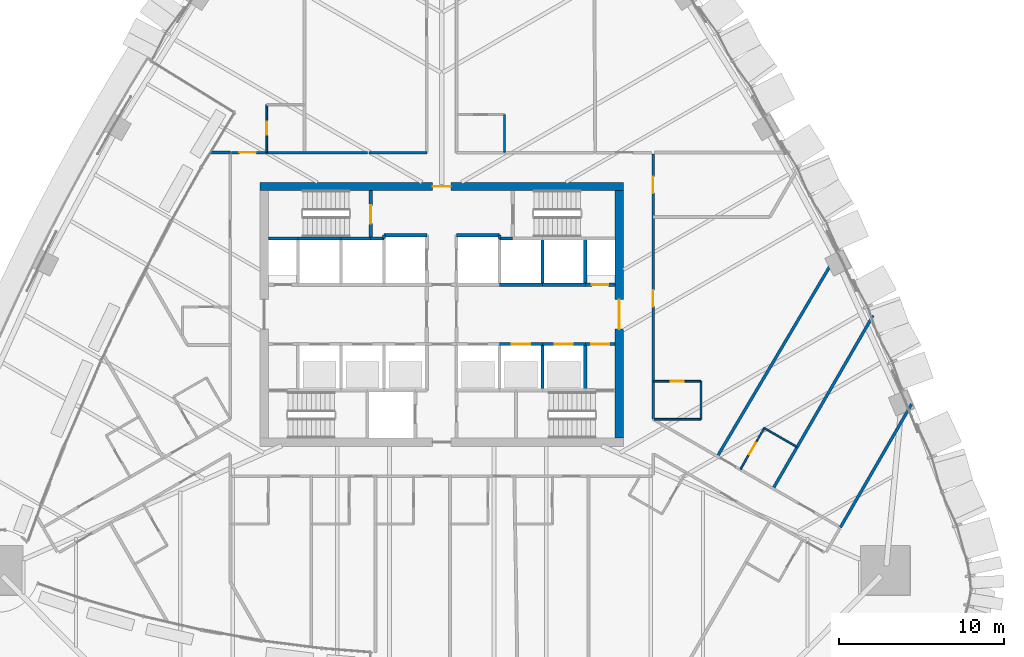
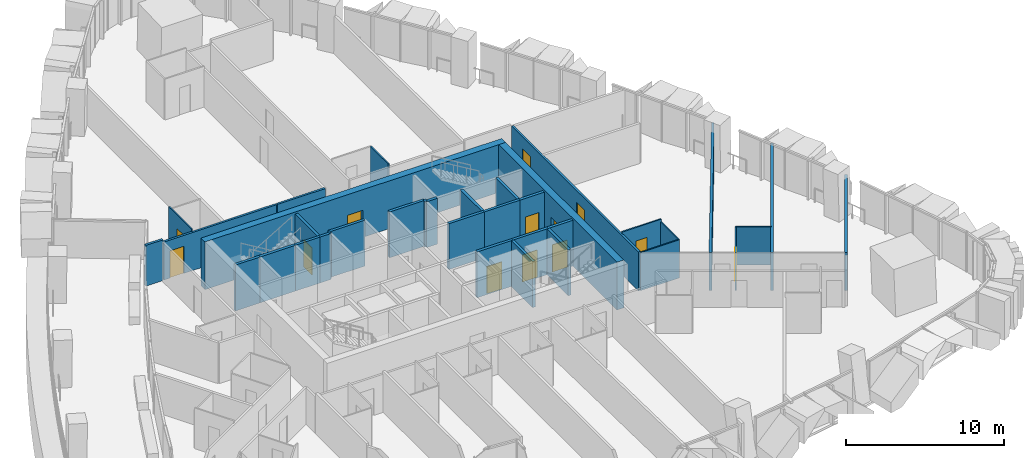
# One storey, part 17 of 24: 36 walls, 13 doors, 13 openings.
"""IFC4 building model written with IfcOpenShell, lengths in metres."""

from ifc_helpers import new_model, si_unit, direction, frame, frame_2d, origin, place, context, subcontext, project, spatial, rectangle, extrude, material, layer, layer_set, type_object, element, fill, save


model = new_model("IFC4")

# Units and contexts
model_context = context("Model", 3, precision=1e-05, world=origin(), true_north=direction((0.0, 1.0)))
body_context = subcontext(model_context, "Body", "Model", "MODEL_VIEW")
ifc_project = project(units=[si_unit("LENGTHUNIT", "METRE"), si_unit("AREAUNIT", "SQUARE_METRE"), si_unit("VOLUMEUNIT", "CUBIC_METRE"), si_unit("PLANEANGLEUNIT", "RADIAN"), si_unit("MASSUNIT", "GRAM", prefix="KILO")], contexts=[model_context])

# Site, building, storey
site_placement = place(None, origin())
site = spatial("IfcSite", under=ifc_project, at=site_placement, CompositionType="ELEMENT")
building_placement = place(site_placement, origin())
building = spatial("IfcBuilding", under=site, at=building_placement, Name="Sierra Prisma Convention Tower", CompositionType="ELEMENT")
storey_placement = place(building_placement, frame((0.0, 0.0, 59.10009765625)))
storey = spatial("IfcBuildingStorey", under=building, at=storey_placement, Name="L10", CompositionType="ELEMENT", Elevation=59.10009765625)

# Wall, opening, door
ifc_material_1 = material(Name="Gypsum board partition", Category="gypsum")
ifc_layer_1 = layer(ifc_material_1, 0.10009765625)
ifc_layer_set_1 = layer_set([ifc_layer_1], Name="Bathroom partition 100")
wall_type_1 = type_object("IfcWallType", Name="Bathroom partition 100", PredefinedType="PARTITIONING", material=ifc_layer_set_1)
wall_1_placement = place(storey_placement, frame((-10.60009765625, 9.830078125, 0.0), z_axis=(0.0, 0.0, 1.0), x_axis=(0.0, 1.0, 0.0)))
wall_1 = element("IfcWall", 1, at=wall_1_placement, inside=storey, type_object=wall_type_1, Name="Partition L10 bath 12", PredefinedType="PARTITIONING", context=body_context, shape_type="SweptSolid", body=[
    extrude(rectangle(XDim=2.869873046875, YDim=0.10009765625, at=frame_2d((1.43505859375, 0.0))), origin(), (0.0, 0.0, 1.0), 3.14990234375),
])
opening_1_placement = place(wall_1_placement, frame((1.034912109375, 0.0, 0.0)))
opening_1 = element("IfcOpeningElement", 2, at=opening_1_placement, cuts=wall_1, Name="Opening L10-D007", PredefinedType="OPENING", context=body_context, shape_type="SweptSolid", body=[
    extrude(rectangle(XDim=0.800048828125, YDim=2.10009765625, at=frame_2d((0.39990234375, 1.050048828125))), frame((0.0, 0.050048828125, 0.0), z_axis=(0.0, -1.0, 0.0), x_axis=(1.0, 0.0, 0.0)), (0.0, 0.0, 1.0), 0.10009765625),
])
ifc_material_2 = material(Name="Solid core timber door leaf", Category="wood")
door_type_1 = type_object("IfcDoorType", Name="Door 800x2100 plain", OperationType="SINGLE_SWING_LEFT", PredefinedType="DOOR", material=ifc_material_2)
door_1_placement = place(opening_1_placement, origin())
door_1 = element("IfcDoor", 3, at=door_1_placement, inside=storey, type_object=door_type_1, Name="Door L10 10", OperationType="SINGLE_SWING_LEFT", OverallHeight=2.10009765625, OverallWidth=0.800048828125, PredefinedType="DOOR", context=body_context, shape_type="SweptSolid", body=[
    extrude(rectangle(XDim=0.800048828125, YDim=2.10009765625, at=frame_2d((0.39990234375, 1.050048828125))), frame((0.0, 0.02490234375, 0.0), z_axis=(0.0, -1.0, 0.0), x_axis=(1.0, 0.0, 0.0)), (0.0, 0.0, 1.0), 0.050048828125),
])
fill(opening_1, door_1)

# Wall
wall_2_placement = place(storey_placement, frame((3.800048828125, 12.10009765625, 0.0), z_axis=(0.0, 0.0, 1.0), x_axis=(0.0, -1.0, 0.0)))
element("IfcWall", 4, at=wall_2_placement, inside=storey, type_object=wall_type_1, Name="Partition L10 bath 24", PredefinedType="PARTITIONING", context=body_context, shape_type="SweptSolid", body=[
    extrude(rectangle(XDim=2.27001953125, YDim=0.10009765625, at=frame_2d((1.135009765625, 0.0))), origin(), (0.0, 0.0, 1.0), 3.14990234375),
])

# Wall, opening, door
wall_3_placement = place(storey_placement, frame((12.830078125, -4.05078125, 0.0), z_axis=(0.0, 0.0, 1.0), x_axis=(1.0, 0.0, 0.0)))
wall_3 = element("IfcWall", 5, at=wall_3_placement, inside=storey, type_object=wall_type_1, Name="Partition L10 bath 30", PredefinedType="PARTITIONING", context=body_context, shape_type="SweptSolid", body=[
    extrude(rectangle(XDim=2.869873046875, YDim=0.10009765625, at=frame_2d((1.43505859375, 0.0))), origin(), (0.0, 0.0, 1.0), 3.14990234375),
])
opening_2_placement = place(wall_3_placement, frame((1.034912109375, 0.0, 0.0)))
opening_2 = element("IfcOpeningElement", 6, at=opening_2_placement, cuts=wall_3, Name="Opening L10-D004", PredefinedType="OPENING", context=body_context, shape_type="SweptSolid", body=[
    extrude(rectangle(XDim=0.800048828125, YDim=2.10009765625, at=frame_2d((0.39990234375, 1.050048828125))), frame((0.0, 0.050048828125, 0.0), z_axis=(0.0, -1.0, 0.0), x_axis=(1.0, 0.0, 0.0)), (0.0, 0.0, 1.0), 0.10009765625),
])
door_2_placement = place(opening_2_placement, origin())
door_2 = element("IfcDoor", 7, at=door_2_placement, inside=storey, type_object=door_type_1, Name="Door L10 2", OperationType="SINGLE_SWING_LEFT", OverallHeight=2.10009765625, OverallWidth=0.800048828125, PredefinedType="DOOR", context=body_context, shape_type="SweptSolid", body=[
    extrude(rectangle(XDim=0.800048828125, YDim=2.10009765625, at=frame_2d((0.39990234375, 1.050048828125))), frame((0.0, 0.02490234375, 0.0), z_axis=(0.0, -1.0, 0.0), x_axis=(1.0, 0.0, 0.0)), (0.0, 0.0, 1.0), 0.050048828125),
])
fill(opening_2, door_2)

# Walls
wall_4_placement = place(storey_placement, frame((15.699951171875, -4.05078125, 0.0), z_axis=(0.0, 0.0, 1.0), x_axis=(0.0, -1.0, 0.0)))
element("IfcWall", 8, at=wall_4_placement, inside=storey, type_object=wall_type_1, Name="Partition L10 bath 31", PredefinedType="PARTITIONING", context=body_context, shape_type="SweptSolid", body=[
    extrude(rectangle(XDim=2.300048828125, YDim=0.10009765625, at=frame_2d((1.14990234375, 0.0))), origin(), (0.0, 0.0, 1.0), 2.947021484375),
])
wall_5_placement = place(storey_placement, frame((15.699951171875, -6.350830078125, 0.0), z_axis=(0.0, 0.0, 1.0), x_axis=(-1.0, 0.0, 0.0)))
element("IfcWall", 9, at=wall_5_placement, inside=storey, type_object=wall_type_1, Name="Partition L10 bath 32", PredefinedType="PARTITIONING", context=body_context, shape_type="SweptSolid", body=[
    extrude(rectangle(XDim=2.83984375, YDim=0.10009765625, at=frame_2d((1.419921875, 0.0))), origin(), (0.0, 0.0, 1.0), 2.947021484375),
])

# Wall, opening, door
wall_6_placement = place(storey_placement, frame((18.097900390625, -9.375, 0.0), z_axis=(0.0, 0.0, 1.0), x_axis=(0.499936001555, 0.866062350151, 0.0)))
wall_6 = element("IfcWall", 10, at=wall_6_placement, inside=storey, type_object=wall_type_1, Name="Partition L10 bath 33", PredefinedType="PARTITIONING", context=body_context, shape_type="SweptSolid", body=[
    extrude(rectangle(XDim=2.8701171875, YDim=0.10009765625, at=frame_2d((1.43505859375, 0.0))), origin(), (0.0, 0.0, 1.0), 2.947021484375),
])
opening_3_placement = place(wall_6_placement, frame((1.034912109375, 0.0, 0.0)))
opening_3 = element("IfcOpeningElement", 11, at=opening_3_placement, cuts=wall_6, Name="Opening L10-D019", PredefinedType="OPENING", context=body_context, shape_type="SweptSolid", body=[
    extrude(rectangle(XDim=0.800048828125, YDim=2.10009765625, at=frame_2d((0.39990234375, 1.050048828125))), frame((0.0, 0.050048828125, 0.0), z_axis=(0.0, -1.0, 0.0), x_axis=(1.0, 0.0, 0.0)), (0.0, 0.0, 1.0), 0.10009765625),
])
door_3_placement = place(opening_3_placement, origin())
door_3 = element("IfcDoor", 12, at=door_3_placement, inside=storey, type_object=door_type_1, Name="Door L10 36", OperationType="SINGLE_SWING_RIGHT", OverallHeight=2.10009765625, OverallWidth=0.800048828125, PredefinedType="DOOR", context=body_context, shape_type="SweptSolid", body=[
    extrude(rectangle(XDim=0.800048828125, YDim=2.10009765625, at=frame_2d((0.39990234375, 1.050048828125))), frame((0.0, 0.02490234375, 0.0), z_axis=(0.0, -1.0, 0.0), x_axis=(1.0, 0.0, 0.0)), (0.0, 0.0, 1.0), 0.050048828125),
])
fill(opening_3, door_3)

# Walls
wall_7_placement = place(storey_placement, frame((19.53271484375, -6.889404296875, 0.0), z_axis=(0.0, 0.0, 1.0), x_axis=(0.866017224141, -0.500014167291, 0.0)))
element("IfcWall", 13, at=wall_7_placement, inside=storey, type_object=wall_type_1, Name="Partition L10 bath 34", PredefinedType="PARTITIONING", context=body_context, shape_type="SweptSolid", body=[
    extrude(rectangle(XDim=2.27001953125, YDim=0.10009765625, at=frame_2d((1.135009765625, 0.0))), origin(), (0.0, 0.0, 1.0), 2.947021484375),
])
ifc_material_3 = material(Name="Concrete C30/37", Category="concrete")
ifc_layer_2 = layer(ifc_material_3, 0.199951171875)
ifc_layer_set_2 = layer_set([ifc_layer_2], Name="Core wall RC 200 C30/37")
wall_type_2 = type_object("IfcWallType", Name="Core wall RC 200 C30/37", PredefinedType="SOLIDWALL", material=ifc_layer_set_2)
wall_8_placement = place(storey_placement, frame((-8.699951171875, 4.60009765625, 0.0), z_axis=(0.0, 0.0, 1.0), x_axis=(-1.0, 0.0, 0.0)))
element("IfcWall", 14, at=wall_8_placement, inside=storey, type_object=wall_type_2, Name="Core wall L10 4", PredefinedType="SOLIDWALL", context=body_context, shape_type="SweptSolid", body=[
    extrude(rectangle(XDim=1.800048828125, YDim=0.199951171875, at=frame_2d((0.89990234375, 0.0))), origin(), (0.0, 0.0, 1.0), 3.5498046875),
])
wall_9_placement = place(storey_placement, frame((-6.10009765625, 4.60009765625, 0.0), z_axis=(0.0, 0.0, 1.0), x_axis=(-1.0, 0.0, 0.0)))
element("IfcWall", 15, at=wall_9_placement, inside=storey, type_object=wall_type_2, Name="Core wall L10 10", PredefinedType="SOLIDWALL", context=body_context, shape_type="SweptSolid", body=[
    extrude(rectangle(XDim=2.599853515625, YDim=0.199951171875, at=frame_2d((1.2998046875, 0.0))), origin(), (0.0, 0.0, 1.0), 3.5498046875),
])
wall_10_placement = place(storey_placement, frame((-4.300048828125, 4.60009765625, 0.0), z_axis=(0.0, 0.0, 1.0), x_axis=(-1.0, 0.0, 0.0)))
element("IfcWall", 16, at=wall_10_placement, inside=storey, type_object=wall_type_2, Name="Core wall L10 16", PredefinedType="SOLIDWALL", context=body_context, shape_type="SweptSolid", body=[
    extrude(rectangle(XDim=1.800048828125, YDim=0.199951171875, at=frame_2d((0.89990234375, 0.0))), origin(), (0.0, 0.0, 1.0), 3.5498046875),
])
wall_11_placement = place(storey_placement, frame((-3.5, 4.60009765625, 0.0), z_axis=(0.0, 0.0, 1.0), x_axis=(-1.0, 0.0, 0.0)))
element("IfcWall", 17, at=wall_11_placement, inside=storey, type_object=wall_type_2, Name="Core wall L10 19", PredefinedType="SOLIDWALL", context=body_context, shape_type="SweptSolid", body=[
    extrude(rectangle(XDim=0.800048828125, YDim=0.199951171875, at=frame_2d((0.39990234375, 0.0))), origin(), (0.0, 0.0, 1.0), 3.5498046875),
])

# Wall, opening, door
wall_12_placement = place(storey_placement, frame((-4.300048828125, 4.60009765625, 0.0), z_axis=(0.0, 0.0, 1.0), x_axis=(0.0, 1.0, 0.0)))
wall_12 = element("IfcWall", 18, at=wall_12_placement, inside=storey, type_object=wall_type_2, Name="Core wall L10 20", PredefinedType="SOLIDWALL", context=body_context, shape_type="SweptSolid", body=[
    extrude(rectangle(XDim=2.89990234375, YDim=0.199951171875, at=frame_2d((1.449951171875, 0.0))), origin(), (0.0, 0.0, 1.0), 3.5498046875),
])
opening_4_placement = place(wall_12_placement, frame((0.89990234375, 0.0, 0.0)))
opening_4 = element("IfcOpeningElement", 19, at=opening_4_placement, cuts=wall_12, Name="Opening L10-D039", PredefinedType="OPENING", context=body_context, shape_type="SweptSolid", body=[
    extrude(rectangle(XDim=1.10009765625, YDim=2.10009765625, at=frame_2d((0.550048828125, 1.050048828125))), frame((0.0, 0.10009765625, 0.0), z_axis=(0.0, -1.0, 0.0), x_axis=(1.0, 0.0, 0.0)), (0.0, 0.0, 1.0), 0.199951171875),
])
ifc_material_4 = material(Name="Steel fire door leaf", Category="steel")
door_type_2 = type_object("IfcDoorType", Name="Door 1100x2100 FD90S", OperationType="SINGLE_SWING_LEFT", PredefinedType="DOOR", material=ifc_material_4)
door_4_placement = place(opening_4_placement, origin())
door_4 = element("IfcDoor", 20, at=door_4_placement, inside=storey, type_object=door_type_2, Name="Door L10 56", OperationType="SINGLE_SWING_RIGHT", OverallHeight=2.10009765625, OverallWidth=1.10009765625, PredefinedType="DOOR", context=body_context, shape_type="SweptSolid", body=[
    extrude(rectangle(XDim=1.10009765625, YDim=2.10009765625, at=frame_2d((0.550048828125, 1.050048828125))), frame((0.0, 0.02490234375, 0.0), z_axis=(0.0, -1.0, 0.0), x_axis=(1.0, 0.0, 0.0)), (0.0, 0.0, 1.0), 0.050048828125),
])
fill(opening_4, door_4)

# Walls
wall_13_placement = place(storey_placement, frame((-0.89990234375, 4.800048828125, 0.0), z_axis=(0.0, 0.0, 1.0), x_axis=(-1.0, 0.0, 0.0)))
element("IfcWall", 21, at=wall_13_placement, inside=storey, type_object=wall_type_2, Name="Core wall L10 27", PredefinedType="SOLIDWALL", context=body_context, shape_type="SweptSolid", body=[
    extrude(rectangle(XDim=2.60009765625, YDim=0.199951171875, at=frame_2d((1.300048828125, 0.0))), origin(), (0.0, 0.0, 1.0), 3.5498046875),
])
for number, where, z_axis, x_axis, name in (
    (22, (-3.5, 4.800048828125, 0.0), (0.0, 0.0, 1.0), (0.0, -1.0, 0.0), "Core wall L10 28"),
    (23, (3.5, 4.60009765625, 0.0), (0.0, 0.0, 1.0), (0.0, 1.0, 0.0), "Core wall L10 41"),
):
    element("IfcWall", number, at=place(storey_placement, frame(where, z_axis=z_axis, x_axis=x_axis)), inside=storey, type_object=wall_type_2, Name=name, PredefinedType="SOLIDWALL", context=body_context, shape_type="SweptSolid", body=[
        extrude(rectangle(XDim=0.199951171875, YDim=0.199951171875, at=frame_2d((0.10009765625, 0.0))), origin(), (0.0, 0.0, 1.0), 3.5498046875),
    ])
wall_14_placement = place(storey_placement, frame((3.5, 4.800048828125, 0.0), z_axis=(0.0, 0.0, 1.0), x_axis=(-1.0, 0.0, 0.0)))
element("IfcWall", 24, at=wall_14_placement, inside=storey, type_object=wall_type_2, Name="Core wall L10 42", PredefinedType="SOLIDWALL", context=body_context, shape_type="SweptSolid", body=[
    extrude(rectangle(XDim=2.60009765625, YDim=0.199951171875, at=frame_2d((1.300048828125, 0.0))), origin(), (0.0, 0.0, 1.0), 3.5498046875),
])

# Wall, opening, door
wall_15_placement = place(storey_placement, frame((3.5, -1.800048828125, 0.0), z_axis=(0.0, 0.0, 1.0), x_axis=(1.0, 0.0, 0.0)))
wall_15 = element("IfcWall", 25, at=wall_15_placement, inside=storey, type_object=wall_type_2, Name="Core wall L10 46", PredefinedType="SOLIDWALL", context=body_context, shape_type="SweptSolid", body=[
    extrude(rectangle(XDim=2.60009765625, YDim=0.199951171875, at=frame_2d((1.300048828125, 0.0))), origin(), (0.0, 0.0, 1.0), 3.5498046875),
])
opening_5_placement = place(wall_15_placement, frame((0.75, 0.0, 0.0)))
opening_5 = element("IfcOpeningElement", 26, at=opening_5_placement, cuts=wall_15, Name="Opening L10-D024", PredefinedType="OPENING", context=body_context, shape_type="SweptSolid", body=[
    extrude(rectangle(XDim=1.10009765625, YDim=2.10009765625, at=frame_2d((0.550048828125, 1.050048828125))), frame((0.0, 0.10009765625, 0.0), z_axis=(0.0, -1.0, 0.0), x_axis=(1.0, 0.0, 0.0)), (0.0, 0.0, 1.0), 0.199951171875),
])
ifc_material_5 = material(Name="Steel fire door leaf", Category="steel")
door_type_3 = type_object("IfcDoorType", Name="Door 1100x2100 EI 90 sliding lift landing", OperationType="SLIDING_TO_LEFT", PredefinedType="DOOR", material=ifc_material_5)
door_5_placement = place(opening_5_placement, origin())
door_5 = element("IfcDoor", 27, at=door_5_placement, inside=storey, type_object=door_type_3, Name="Door L10 41", OperationType="SLIDING_TO_LEFT", OverallHeight=2.10009765625, OverallWidth=1.10009765625, PredefinedType="DOOR", context=body_context, shape_type="SweptSolid", body=[
    extrude(rectangle(XDim=1.10009765625, YDim=2.10009765625, at=frame_2d((0.550048828125, 1.050048828125))), frame((0.0, 0.02490234375, 0.0), z_axis=(0.0, -1.0, 0.0), x_axis=(1.0, 0.0, 0.0)), (0.0, 0.0, 1.0), 0.050048828125),
])
fill(opening_5, door_5)

# Walls
wall_16_placement = place(storey_placement, frame((6.10009765625, 1.800048828125, 0.0), z_axis=(0.0, 0.0, 1.0), x_axis=(-1.0, 0.0, 0.0)))
element("IfcWall", 28, at=wall_16_placement, inside=storey, type_object=wall_type_2, Name="Core wall L10 47", PredefinedType="SOLIDWALL", context=body_context, shape_type="SweptSolid", body=[
    extrude(rectangle(XDim=2.60009765625, YDim=0.199951171875, at=frame_2d((1.300048828125, 0.0))), origin(), (0.0, 0.0, 1.0), 3.5498046875),
])
wall_17_placement = place(storey_placement, frame((4.300048828125, 4.60009765625, 0.0), z_axis=(0.0, 0.0, 1.0), x_axis=(-1.0, 0.0, 0.0)))
element("IfcWall", 29, at=wall_17_placement, inside=storey, type_object=wall_type_2, Name="Core wall L10 49", PredefinedType="SOLIDWALL", context=body_context, shape_type="SweptSolid", body=[
    extrude(rectangle(XDim=0.800048828125, YDim=0.199951171875, at=frame_2d((0.39990234375, 0.0))), origin(), (0.0, 0.0, 1.0), 3.5498046875),
])
wall_18_placement = place(storey_placement, frame((6.10009765625, -4.60009765625, 0.0), z_axis=(0.0, 0.0, 1.0), x_axis=(0.0, 1.0, 0.0)))
element("IfcWall", 30, at=wall_18_placement, inside=storey, type_object=wall_type_2, Name="Core wall L10 55", PredefinedType="SOLIDWALL", context=body_context, shape_type="SweptSolid", body=[
    extrude(rectangle(XDim=2.800048828125, YDim=0.199951171875, at=frame_2d((1.39990234375, 0.0))), origin(), (0.0, 0.0, 1.0), 3.5498046875),
])

# Wall, opening, door
wall_19_placement = place(storey_placement, frame((6.10009765625, -1.800048828125, 0.0), z_axis=(0.0, 0.0, 1.0), x_axis=(1.0, 0.0, 0.0)))
wall_19 = element("IfcWall", 31, at=wall_19_placement, inside=storey, type_object=wall_type_2, Name="Core wall L10 56", PredefinedType="SOLIDWALL", context=body_context, shape_type="SweptSolid", body=[
    extrude(rectangle(XDim=2.599853515625, YDim=0.199951171875, at=frame_2d((1.2998046875, 0.0))), origin(), (0.0, 0.0, 1.0), 3.5498046875),
])
opening_6_placement = place(wall_19_placement, frame((0.75, 0.0, 0.0)))
opening_6 = element("IfcOpeningElement", 32, at=opening_6_placement, cuts=wall_19, Name="Opening L10-D025", PredefinedType="OPENING", context=body_context, shape_type="SweptSolid", body=[
    extrude(rectangle(XDim=1.10009765625, YDim=2.10009765625, at=frame_2d((0.550048828125, 1.050048828125))), frame((0.0, 0.10009765625, 0.0), z_axis=(0.0, -1.0, 0.0), x_axis=(1.0, 0.0, 0.0)), (0.0, 0.0, 1.0), 0.199951171875),
])
door_6_placement = place(opening_6_placement, origin())
door_6 = element("IfcDoor", 33, at=door_6_placement, inside=storey, type_object=door_type_3, Name="Door L10 42", OperationType="SLIDING_TO_LEFT", OverallHeight=2.10009765625, OverallWidth=1.10009765625, PredefinedType="DOOR", context=body_context, shape_type="SweptSolid", body=[
    extrude(rectangle(XDim=1.10009765625, YDim=2.10009765625, at=frame_2d((0.550048828125, 1.050048828125))), frame((0.0, 0.02490234375, 0.0), z_axis=(0.0, -1.0, 0.0), x_axis=(1.0, 0.0, 0.0)), (0.0, 0.0, 1.0), 0.050048828125),
])
fill(opening_6, door_6)

# Walls
wall_20_placement = place(storey_placement, frame((8.699951171875, 1.800048828125, 0.0), z_axis=(0.0, 0.0, 1.0), x_axis=(-1.0, 0.0, 0.0)))
element("IfcWall", 34, at=wall_20_placement, inside=storey, type_object=wall_type_2, Name="Core wall L10 57", PredefinedType="SOLIDWALL", context=body_context, shape_type="SweptSolid", body=[
    extrude(rectangle(XDim=2.599853515625, YDim=0.199951171875, at=frame_2d((1.2998046875, 0.0))), origin(), (0.0, 0.0, 1.0), 3.5498046875),
])
for number, where, z_axis, x_axis, name in (
    (35, (6.10009765625, 1.800048828125, 0.0), (0.0, 0.0, 1.0), (0.0, 1.0, 0.0), "Core wall L10 58"),
    (36, (8.699951171875, -1.800048828125, 0.0), (0.0, 0.0, 1.0), (0.0, -1.0, 0.0), "Core wall L10 61"),
):
    element("IfcWall", number, at=place(storey_placement, frame(where, z_axis=z_axis, x_axis=x_axis)), inside=storey, type_object=wall_type_2, Name=name, PredefinedType="SOLIDWALL", context=body_context, shape_type="SweptSolid", body=[
        extrude(rectangle(XDim=2.800048828125, YDim=0.199951171875, at=frame_2d((1.39990234375, 0.0))), origin(), (0.0, 0.0, 1.0), 3.5498046875),
    ])

# Wall, opening, door
wall_21_placement = place(storey_placement, frame((8.699951171875, -1.800048828125, 0.0), z_axis=(0.0, 0.0, 1.0), x_axis=(1.0, 0.0, 0.0)))
wall_21 = element("IfcWall", 37, at=wall_21_placement, inside=storey, type_object=wall_type_2, Name="Core wall L10 62", PredefinedType="SOLIDWALL", context=body_context, shape_type="SweptSolid", body=[
    extrude(rectangle(XDim=1.800048828125, YDim=0.199951171875, at=frame_2d((0.89990234375, 0.0))), origin(), (0.0, 0.0, 1.0), 3.5498046875),
])
opening_7_placement = place(wall_21_placement, frame((0.35009765625, 0.0, 0.0)))
opening_7 = element("IfcOpeningElement", 38, at=opening_7_placement, cuts=wall_21, Name="Opening L10-D032", PredefinedType="OPENING", context=body_context, shape_type="SweptSolid", body=[
    extrude(rectangle(XDim=1.10009765625, YDim=2.10009765625, at=frame_2d((0.550048828125, 1.050048828125))), frame((0.0, 0.10009765625, 0.0), z_axis=(0.0, -1.0, 0.0), x_axis=(1.0, 0.0, 0.0)), (0.0, 0.0, 1.0), 0.199951171875),
])
door_7_placement = place(opening_7_placement, origin())
door_7 = element("IfcDoor", 39, at=door_7_placement, inside=storey, type_object=door_type_2, Name="Door L10 49", OperationType="SINGLE_SWING_RIGHT", OverallHeight=2.10009765625, OverallWidth=1.10009765625, PredefinedType="DOOR", context=body_context, shape_type="SweptSolid", body=[
    extrude(rectangle(XDim=1.10009765625, YDim=2.10009765625, at=frame_2d((0.550048828125, 1.050048828125))), frame((0.0, 0.02490234375, 0.0), z_axis=(0.0, -1.0, 0.0), x_axis=(1.0, 0.0, 0.0)), (0.0, 0.0, 1.0), 0.050048828125),
])
fill(opening_7, door_7)

wall_22_placement = place(storey_placement, frame((10.5, 1.800048828125, 0.0), z_axis=(0.0, 0.0, 1.0), x_axis=(-1.0, 0.0, 0.0)))
wall_22 = element("IfcWall", 40, at=wall_22_placement, inside=storey, type_object=wall_type_2, Name="Core wall L10 63", PredefinedType="SOLIDWALL", context=body_context, shape_type="SweptSolid", body=[
    extrude(rectangle(XDim=1.800048828125, YDim=0.199951171875, at=frame_2d((0.89990234375, 0.0))), origin(), (0.0, 0.0, 1.0), 3.5498046875),
])
opening_8_placement = place(wall_22_placement, frame((0.39990234375, 0.0, 0.0)))
opening_8 = element("IfcOpeningElement", 41, at=opening_8_placement, cuts=wall_22, Name="Opening L10-D036", PredefinedType="OPENING", context=body_context, shape_type="SweptSolid", body=[
    extrude(rectangle(XDim=1.0, YDim=2.10009765625, at=frame_2d((0.5, 1.050048828125))), frame((0.0, 0.10009765625, 0.0), z_axis=(0.0, -1.0, 0.0), x_axis=(1.0, 0.0, 0.0)), (0.0, 0.0, 1.0), 0.199951171875),
])
ifc_material_6 = material(Name="Steel fire door leaf", Category="steel")
door_type_4 = type_object("IfcDoorType", Name="Door 1000x2100 FD60S", OperationType="SINGLE_SWING_LEFT", PredefinedType="DOOR", material=ifc_material_6)
door_8_placement = place(opening_8_placement, origin())
door_8 = element("IfcDoor", 42, at=door_8_placement, inside=storey, type_object=door_type_4, Name="Door L10 53", OperationType="SINGLE_SWING_RIGHT", OverallHeight=2.10009765625, OverallWidth=1.0, PredefinedType="DOOR", context=body_context, shape_type="SweptSolid", body=[
    extrude(rectangle(XDim=1.0, YDim=2.10009765625, at=frame_2d((0.5, 1.050048828125))), frame((0.0, 0.02490234375, 0.0), z_axis=(0.0, -1.0, 0.0), x_axis=(1.0, 0.0, 0.0)), (0.0, 0.0, 1.0), 0.050048828125),
])
fill(opening_8, door_8)

# Wall
wall_23_placement = place(storey_placement, frame((8.699951171875, 4.60009765625, 0.0), z_axis=(0.0, 0.0, 1.0), x_axis=(0.0, -1.0, 0.0)))
element("IfcWall", 43, at=wall_23_placement, inside=storey, type_object=wall_type_2, Name="Core wall L10 64", PredefinedType="SOLIDWALL", context=body_context, shape_type="SweptSolid", body=[
    extrude(rectangle(XDim=2.800048828125, YDim=0.199951171875, at=frame_2d((1.39990234375, 0.0))), origin(), (0.0, 0.0, 1.0), 3.5498046875),
])

# Wall, opening, door
ifc_material_7 = material(Name="Concrete C60/75", Category="concrete")
ifc_layer_3 = layer(ifc_material_7, 0.5)
ifc_layer_set_3 = layer_set([ifc_layer_3], Name="Core wall RC 500 C60/75")
wall_type_3 = type_object("IfcWallType", Name="Core wall RC 500 C60/75", PredefinedType="SHEAR", material=ifc_layer_set_3)
wall_24_placement = place(storey_placement, frame((-11.0, 7.75, 0.0), z_axis=(0.0, 0.0, 1.0), x_axis=(1.0, 0.0, 0.0)))
wall_24 = element("IfcWall", 44, at=wall_24_placement, inside=storey, type_object=wall_type_3, Name="Core wall N L10", PredefinedType="SHEAR", context=body_context, shape_type="SweptSolid", body=[
    extrude(rectangle(XDim=22.0, YDim=0.5, at=frame_2d((11.0, 0.0))), origin(), (0.0, 0.0, 1.0), 3.699951171875),
])
opening_9_placement = place(wall_24_placement, frame((10.449951171875, 0.0, 0.0)))
opening_9 = element("IfcOpeningElement", 45, at=opening_9_placement, cuts=wall_24, Name="Opening L10-D063", PredefinedType="OPENING", context=body_context, shape_type="SweptSolid", body=[
    extrude(rectangle(XDim=1.10009765625, YDim=2.10009765625, at=frame_2d((0.550048828125, 1.050048828125))), frame((0.0, 0.25, 0.0), z_axis=(0.0, -1.0, 0.0), x_axis=(1.0, 0.0, 0.0)), (0.0, 0.0, 1.0), 0.5),
])
ifc_material_8 = material(Name="Steel fire door leaf", Category="steel")
door_type_5 = type_object("IfcDoorType", Name="Door 1100x2100 FD60S", OperationType="SINGLE_SWING_LEFT", PredefinedType="DOOR", material=ifc_material_8)
door_9_placement = place(opening_9_placement, origin())
door_9 = element("IfcDoor", 46, at=door_9_placement, inside=storey, type_object=door_type_5, Name="Door L10 61", OperationType="SINGLE_SWING_LEFT", OverallHeight=2.10009765625, OverallWidth=1.10009765625, PredefinedType="DOOR", context=body_context, shape_type="SweptSolid", body=[
    extrude(rectangle(XDim=1.10009765625, YDim=2.10009765625, at=frame_2d((0.550048828125, 1.050048828125))), frame((0.0, 0.02490234375, 0.0), z_axis=(0.0, -1.0, 0.0), x_axis=(1.0, 0.0, 0.0)), (0.0, 0.0, 1.0), 0.050048828125),
])
fill(opening_9, door_9)

wall_25_placement = place(storey_placement, frame((10.75, -7.5, 0.0), z_axis=(0.0, 0.0, 1.0), x_axis=(0.0, 1.0, 0.0)))
wall_25 = element("IfcWall", 47, at=wall_25_placement, inside=storey, type_object=wall_type_3, Name="Core wall E L10", PredefinedType="SHEAR", context=body_context, shape_type="SweptSolid", body=[
    extrude(rectangle(XDim=15.0, YDim=0.5, at=frame_2d((7.5, 0.0))), origin(), (0.0, 0.0, 1.0), 3.699951171875),
])
opening_10_placement = place(wall_25_placement, frame((6.60009765625, 0.0, 0.0)))
opening_10 = element("IfcOpeningElement", 48, at=opening_10_placement, cuts=wall_25, Name="Opening L10-D062", PredefinedType="OPENING", context=body_context, shape_type="SweptSolid", body=[
    extrude(rectangle(XDim=1.800048828125, YDim=2.10009765625, at=frame_2d((0.89990234375, 1.050048828125))), frame((0.0, 0.25, 0.0), z_axis=(0.0, -1.0, 0.0), x_axis=(1.0, 0.0, 0.0)), (0.0, 0.0, 1.0), 0.5),
])
ifc_material_9 = material(Name="Steel fire door leaf", Category="steel")
door_type_6 = type_object("IfcDoorType", Name="Door 1800x2100 FD60S", OperationType="DOUBLE_DOOR_SINGLE_SWING", PredefinedType="DOOR", material=ifc_material_9)
door_10_placement = place(opening_10_placement, origin())
door_10 = element("IfcDoor", 49, at=door_10_placement, inside=storey, type_object=door_type_6, Name="Door L10 60", OperationType="DOUBLE_DOOR_SINGLE_SWING", OverallHeight=2.10009765625, OverallWidth=1.800048828125, PredefinedType="DOOR", context=body_context, shape_type="SweptSolid", body=[
    extrude(rectangle(XDim=1.800048828125, YDim=2.10009765625, at=frame_2d((0.89990234375, 1.050048828125))), frame((0.0, 0.02490234375, 0.0), z_axis=(0.0, -1.0, 0.0), x_axis=(1.0, 0.0, 0.0)), (0.0, 0.0, 1.0), 0.050048828125),
])
fill(opening_10, door_10)

ifc_material_10 = material(Name="Gypsum board partition", Category="gypsum")
ifc_layer_4 = layer(ifc_material_10, 0.14990234375)
ifc_layer_set_4 = layer_set([ifc_layer_4], Name="Corridor wall 150 gypsum EI 60")
wall_type_4 = type_object("IfcWallType", Name="Corridor wall 150 gypsum EI 60", PredefinedType="PARTITIONING", material=ifc_layer_set_4)
wall_26_placement = place(storey_placement, frame((-4.47998046875, 9.800048828125, 0.0), z_axis=(0.0, 0.0, 1.0), x_axis=(-1.0, 0.0, 0.0)))
wall_26 = element("IfcWall", 50, at=wall_26_placement, inside=storey, type_object=wall_type_4, Name="Partition L10 corr 7", PredefinedType="PARTITIONING", context=body_context, shape_type="SweptSolid", body=[
    extrude(rectangle(XDim=8.239990234375, YDim=0.14990234375, at=frame_2d((4.1201171875, 0.0))), origin(), (0.0, 0.0, 1.0), 2.947021484375),
])
opening_11_placement = place(wall_26_placement, frame((6.780029296875, 0.0, 0.0)))
opening_11 = element("IfcOpeningElement", 51, at=opening_11_placement, cuts=wall_26, Name="Opening L10-D047", PredefinedType="OPENING", context=body_context, shape_type="SweptSolid", body=[
    extrude(rectangle(XDim=1.0, YDim=2.10009765625, at=frame_2d((0.5, 1.050048828125))), frame((0.0, 0.074951171875, 0.0), z_axis=(0.0, -1.0, 0.0), x_axis=(1.0, 0.0, 0.0)), (0.0, 0.0, 1.0), 0.14990234375),
])
ifc_material_11 = material(Name="Steel fire door leaf", Category="steel")
door_type_7 = type_object("IfcDoorType", Name="Door 1000x2100 FD30S", OperationType="SINGLE_SWING_LEFT", PredefinedType="DOOR", material=ifc_material_11)
door_11_placement = place(opening_11_placement, origin())
door_11 = element("IfcDoor", 52, at=door_11_placement, inside=storey, type_object=door_type_7, Name="Door L10 9", OperationType="SINGLE_SWING_RIGHT", OverallHeight=2.10009765625, OverallWidth=1.0, PredefinedType="DOOR", context=body_context, shape_type="SweptSolid", body=[
    extrude(rectangle(XDim=1.0, YDim=2.10009765625, at=frame_2d((0.5, 1.050048828125))), frame((0.0, 0.02490234375, 0.0), z_axis=(0.0, -1.0, 0.0), x_axis=(1.0, 0.0, 0.0)), (0.0, 0.0, 1.0), 0.050048828125),
])
fill(opening_11, door_11)

# Wall
wall_27_placement = place(storey_placement, frame((-0.89990234375, 9.800048828125, 0.0), z_axis=(0.0, 0.0, 1.0), x_axis=(-1.0, 0.0, 0.0)))
element("IfcWall", 53, at=wall_27_placement, inside=storey, type_object=wall_type_4, Name="Partition L10 corr 9", PredefinedType="PARTITIONING", context=body_context, shape_type="SweptSolid", body=[
    extrude(rectangle(XDim=3.5, YDim=0.14990234375, at=frame_2d((1.75, 0.0))), origin(), (0.0, 0.0, 1.0), 2.947021484375),
])

# Wall, openings, doors
wall_28_placement = place(storey_placement, frame((12.800048828125, -6.350830078125, 0.0), z_axis=(0.0, 0.0, 1.0), x_axis=(0.0, 1.0, 0.0)))
wall_28 = element("IfcWall", 54, at=wall_28_placement, inside=storey, type_object=wall_type_4, Name="Partition L10 corr 17", PredefinedType="PARTITIONING", context=body_context, shape_type="SweptSolid", body=[
    extrude(rectangle(XDim=16.07080078125, YDim=0.14990234375, at=frame_2d((8.035400390625, 0.0))), origin(), (0.0, 0.0, 1.0), 3.016845703125),
])
opening_12_placement = place(wall_28_placement, frame((6.825439453125, 0.0, 0.0)))
opening_12 = element("IfcOpeningElement", 55, at=opening_12_placement, cuts=wall_28, Name="Opening L10-D042", PredefinedType="OPENING", context=body_context, shape_type="SweptSolid", body=[
    extrude(rectangle(XDim=1.0, YDim=2.10009765625, at=frame_2d((0.5, 1.050048828125))), frame((0.0, 0.074951171875, 0.0), z_axis=(0.0, -1.0, 0.0), x_axis=(1.0, 0.0, 0.0)), (0.0, 0.0, 1.0), 0.14990234375),
])
opening_13_placement = place(wall_28_placement, frame((13.700927734375, 0.0, 0.0)))
opening_13 = element("IfcOpeningElement", 56, at=opening_13_placement, cuts=wall_28, Name="Opening L10-D043", PredefinedType="OPENING", context=body_context, shape_type="SweptSolid", body=[
    extrude(rectangle(XDim=1.0, YDim=2.10009765625, at=frame_2d((0.5, 1.050048828125))), frame((0.0, 0.074951171875, 0.0), z_axis=(0.0, -1.0, 0.0), x_axis=(1.0, 0.0, 0.0)), (0.0, 0.0, 1.0), 0.14990234375),
])
door_12_placement = place(opening_12_placement, origin())
door_12 = element("IfcDoor", 57, at=door_12_placement, inside=storey, type_object=door_type_7, Name="Door L10 1", OperationType="SINGLE_SWING_RIGHT", OverallHeight=2.10009765625, OverallWidth=1.0, PredefinedType="DOOR", context=body_context, shape_type="SweptSolid", body=[
    extrude(rectangle(XDim=1.0, YDim=2.10009765625, at=frame_2d((0.5, 1.050048828125))), frame((0.0, 0.02490234375, 0.0), z_axis=(0.0, -1.0, 0.0), x_axis=(1.0, 0.0, 0.0)), (0.0, 0.0, 1.0), 0.050048828125),
])
fill(opening_12, door_12)
door_13_placement = place(opening_13_placement, origin())
door_13 = element("IfcDoor", 58, at=door_13_placement, inside=storey, type_object=door_type_7, Name="Door L10 3", OperationType="SINGLE_SWING_LEFT", OverallHeight=2.10009765625, OverallWidth=1.0, PredefinedType="DOOR", context=body_context, shape_type="SweptSolid", body=[
    extrude(rectangle(XDim=1.0, YDim=2.10009765625, at=frame_2d((0.5, 1.050048828125))), frame((0.0, 0.02490234375, 0.0), z_axis=(0.0, -1.0, 0.0), x_axis=(1.0, 0.0, 0.0)), (0.0, 0.0, 1.0), 0.050048828125),
])
fill(opening_13, door_13)

# Walls
ifc_material_12 = material(Name="Acoustic gypsum board partition", Category="gypsum")
ifc_layer_5 = layer(ifc_material_12, 0.175048828125)
ifc_layer_set_5 = layer_set([ifc_layer_5], Name="Guest room party wall 175 acoustic EI 60")
wall_type_5 = type_object("IfcWallType", Name="Guest room party wall 175 acoustic EI 60", PredefinedType="PARTITIONING", material=ifc_layer_set_5)
wall_29_placement = place(storey_placement, frame((-12.800048828125, 9.800048828125, 0.0), z_axis=(0.0, 0.0, 1.0), x_axis=(-1.0, 0.0, 0.0)))
element("IfcWall", 59, at=wall_29_placement, inside=storey, type_object=wall_type_5, Name="Partition L10 hparty 6", PredefinedType="PARTITIONING", context=body_context, shape_type="SweptSolid", body=[
    extrude(rectangle(XDim=1.236328125, YDim=0.175048828125, at=frame_2d((0.6181640625, 0.0))), origin(), (0.0, 0.0, 1.0), 3.14990234375),
])
wall_30_placement = place(storey_placement, frame((24.011474609375, 3.760986328125, 0.0), z_axis=(0.0, 0.0, 1.0), x_axis=(-0.509232005263, -0.860629284196, 0.0)))
element("IfcWall", 60, at=wall_30_placement, inside=storey, type_object=wall_type_5, Name="Partition L10 hparty 23", PredefinedType="PARTITIONING", context=body_context, shape_type="SweptSolid", body=[
    extrude(rectangle(XDim=14.36376953125, YDim=0.175048828125, at=frame_2d((7.181884765625, 0.0))), origin(), (0.0, 0.0, 1.0), 2.947021484375),
])
wall_31_placement = place(storey_placement, frame((26.123779296875, -0.0732421875, 0.0), z_axis=(0.0, 0.0, 1.0), x_axis=(-0.49999146167, -0.866030333335, 0.0)))
element("IfcWall", 61, at=wall_31_placement, inside=storey, type_object=wall_type_5, Name="Partition L10 hparty 24", PredefinedType="PARTITIONING", context=body_context, shape_type="SweptSolid", body=[
    extrude(rectangle(XDim=12.098388671875, YDim=0.175048828125, at=frame_2d((6.04931640625, 0.0))), origin(), (0.0, 0.0, 1.0), 2.933837890625),
])
wall_32_placement = place(storey_placement, frame((24.147705078125, -12.902587890625, 0.0), z_axis=(0.0, 0.0, 1.0), x_axis=(0.500014238528, 0.866017183011, 0.0)))
element("IfcWall", 62, at=wall_32_placement, inside=storey, type_object=wall_type_5, Name="Partition L10 hparty 25", PredefinedType="PARTITIONING", context=body_context, shape_type="SweptSolid", body=[
    extrude(rectangle(XDim=8.618896484375, YDim=0.175048828125, at=frame_2d((4.3095703125, 0.0))), origin(), (0.0, 0.0, 1.0), 2.933837890625),
])

save(model, "model.ifc")
